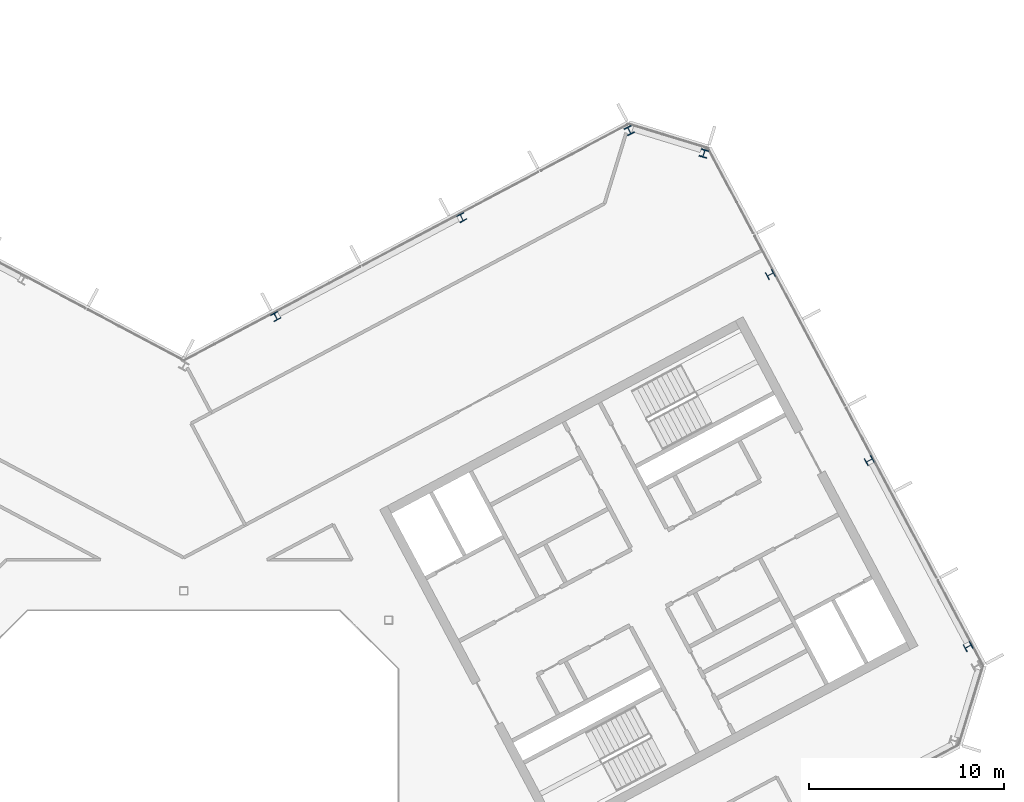
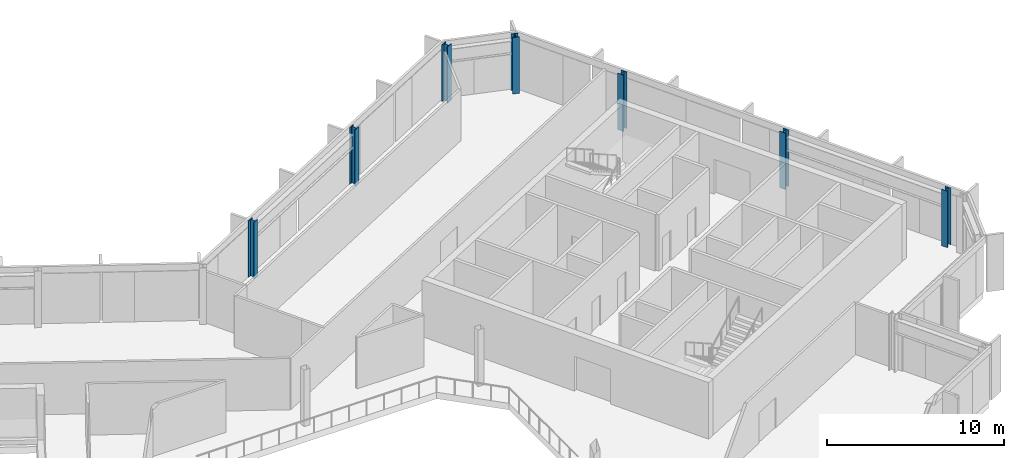
# One storey, part 7 of 26: 7 columns.
"""IFC4 building model written with IfcOpenShell, lengths in metres."""

from ifc_helpers import new_model, si_unit, direction, frame, origin, origin_2d, place, context, subcontext, project, spatial, i_section, extrude, material, material_profile, profile_set, type_object, element, save


model = new_model("IFC4")

# Units and contexts
model_context = context("Model", 3, precision=1e-05, world=origin(), true_north=direction((0.0, 1.0)))
body_context = subcontext(model_context, "Body", "Model", "MODEL_VIEW")
ifc_project = project(units=[si_unit("LENGTHUNIT", "METRE"), si_unit("AREAUNIT", "SQUARE_METRE"), si_unit("VOLUMEUNIT", "CUBIC_METRE"), si_unit("PLANEANGLEUNIT", "RADIAN"), si_unit("MASSUNIT", "GRAM", prefix="KILO")], contexts=[model_context])

# Site, building, storey
site_placement = place(None, origin())
site = spatial("IfcSite", under=ifc_project, at=site_placement, CompositionType="ELEMENT")
building_placement = place(site_placement, origin())
building = spatial("IfcBuilding", under=site, at=building_placement, Name="Cormorant Relay Tower", CompositionType="ELEMENT")
storey_placement = place(building_placement, frame((0.0, 0.0, 320.39990234375)))
storey = spatial("IfcBuildingStorey", under=building, at=storey_placement, Name="L73", CompositionType="ELEMENT", Elevation=320.39990234375)

# Columns
ifc_material_1 = material(Name="Steel ASTM A992 (Fy 345 MPa)", Category="steel")
ifc_material_profile_1 = material_profile(ifc_material_1, i_section(OverallWidth=0.398681640625, OverallDepth=0.385986328125, WebThickness=0.02099609375, FlangeThickness=0.033203125, FilletRadius=0.01513671875, at=origin_2d()), Name="W360x262")
ifc_profile_set_1 = profile_set([ifc_material_profile_1], Name="Steel ASTM A992 (Fy 345 MPa)")
column_type_1 = type_object("IfcColumnType", Name="Column W360x262", PredefinedType="COLUMN", material=ifc_profile_set_1)
for number, where, z_axis, x_axis, name in (
    (1, (40.2119140625, 9.14892578125, 0.0), (0.0, 0.0, 1.0), (-0.469471562786, 0.882947592859, 0.0), "Column L73-021"),
    (2, (35.14111328125, 18.68505859375, 0.0), (0.0, 0.0, 1.0), (-0.469471562786, 0.882947592859, 0.0), "Column L73-027"),
    (3, (4.715087890625, 26.06494140625, 0.0), (0.0, 0.0, 1.0), (-0.882947592859, -0.469471562786, 0.0), "Column L73-031"),
    (4, (30.071044921875, 28.220947265625, 0.0), (0.0, 0.0, 1.0), (-0.469471562786, 0.882947592859, 0.0), "Column L73-033"),
    (5, (14.2509765625, 31.135009765625, 0.0), (0.0, 0.0, 1.0), (-0.882947592859, -0.469471562786, 0.0), "Column L73-035"),
):
    element("IfcColumn", number, at=place(storey_placement, frame(where, z_axis=z_axis, x_axis=x_axis)), inside=storey, type_object=column_type_1, Name=name, PredefinedType="COLUMN", context=body_context, shape_type="SweptSolid", body=[
        extrude(i_section(OverallWidth=0.398681640625, OverallDepth=0.385986328125, WebThickness=0.02099609375, FlangeThickness=0.033203125, FilletRadius=0.01513671875, at=origin_2d()), origin(), (0.0, 0.0, 1.0), 3.900146484375),
    ])
ifc_material_2 = material(Name="Steel ASTM A992 (Fy 345 MPa)", Category="steel")
ifc_material_profile_2 = material_profile(ifc_material_2, i_section(OverallWidth=0.40380859375, OverallDepth=0.406494140625, WebThickness=0.027099609375, FlangeThickness=0.043701171875, FilletRadius=0.01513671875, at=origin_2d()), Name="W360x347")
ifc_profile_set_2 = profile_set([ifc_material_profile_2], Name="Steel ASTM A992 (Fy 345 MPa)")
column_type_2 = type_object("IfcColumnType", Name="Column W360x347", PredefinedType="COLUMN", material=ifc_profile_set_2)
for number, where, z_axis, x_axis, name in (
    (6, (26.6640625, 34.425048828125, 0.0), (0.0, 0.0, 1.0), (-0.956304755963, 0.292371704723, 0.0), "Column L73-038"),
    (7, (22.841064453125, 35.593994140625, 0.0), (0.0, 0.0, 1.0), (-0.882947592859, -0.469471562786, 0.0), "Column L73-039"),
):
    element("IfcColumn", number, at=place(storey_placement, frame(where, z_axis=z_axis, x_axis=x_axis)), inside=storey, type_object=column_type_2, Name=name, PredefinedType="COLUMN", context=body_context, shape_type="SweptSolid", body=[
        extrude(i_section(OverallWidth=0.40380859375, OverallDepth=0.406494140625, WebThickness=0.027099609375, FlangeThickness=0.043701171875, FilletRadius=0.01513671875, at=origin_2d()), origin(), (0.0, 0.0, 1.0), 3.900146484375),
    ])

save(model, "model.ifc")
